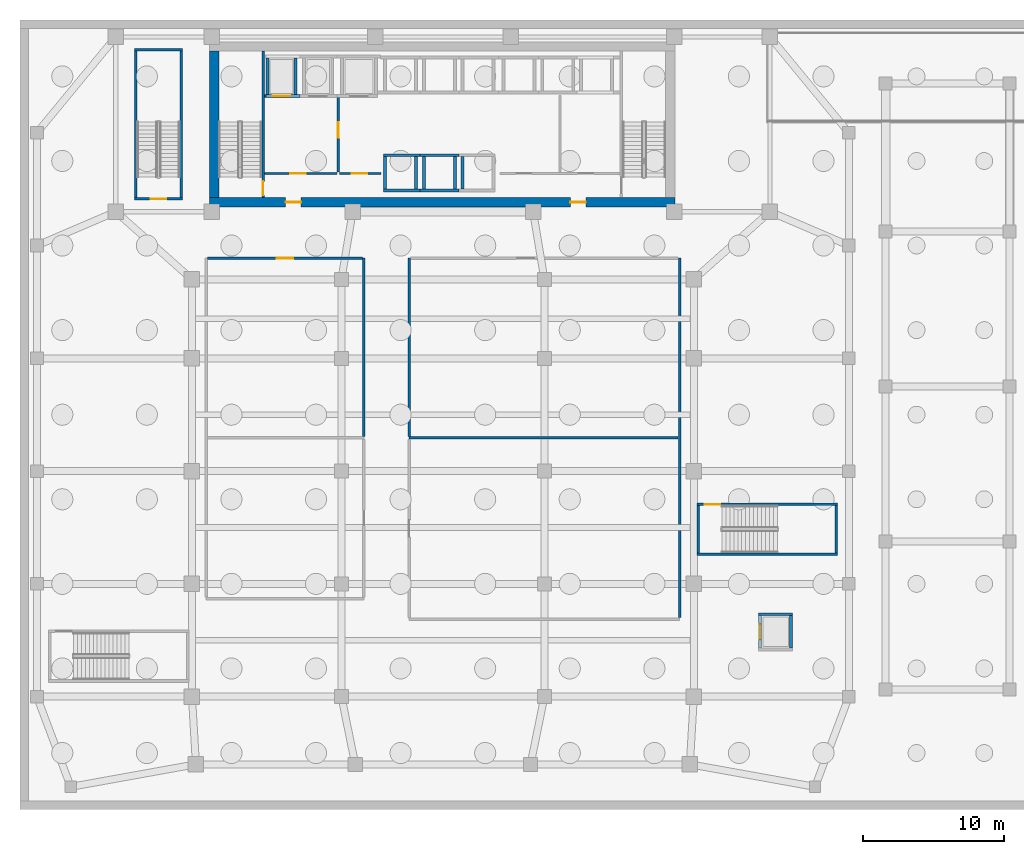
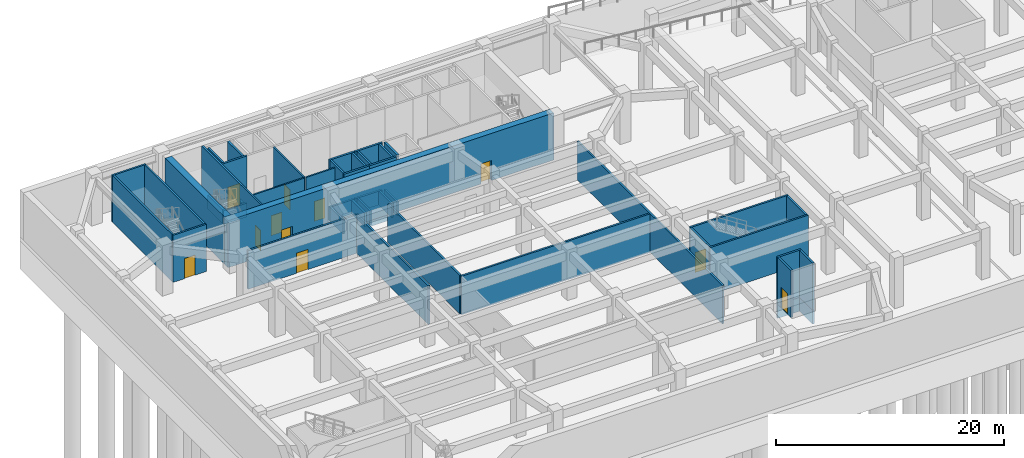
# One storey, part 9 of 18: 48 walls, 11 doors, 11 openings.
"""IFC4 building model written with IfcOpenShell, lengths in metres."""

from ifc_helpers import new_model, si_unit, direction, frame, frame_2d, origin, place, context, subcontext, project, spatial, rectangle, extrude, material, layer, layer_set, type_object, element, fill, save


model = new_model("IFC4")

# Units and contexts
model_context = context("Model", 3, precision=1e-05, world=origin(), true_north=direction((0.0, 1.0)))
body_context = subcontext(model_context, "Body", "Model", "MODEL_VIEW")
ifc_project = project(units=[si_unit("LENGTHUNIT", "METRE"), si_unit("AREAUNIT", "SQUARE_METRE"), si_unit("VOLUMEUNIT", "CUBIC_METRE"), si_unit("PLANEANGLEUNIT", "RADIAN"), si_unit("MASSUNIT", "GRAM", prefix="KILO")], contexts=[model_context])

# Site, building, storey
site_placement = place(None, origin())
site = spatial("IfcSite", under=ifc_project, at=site_placement, CompositionType="ELEMENT")
building_placement = place(site_placement, origin())
building = spatial("IfcBuilding", under=site, at=building_placement, Name="Saevonmaru Cultural Tower", CompositionType="ELEMENT")
storey_placement = place(building_placement, frame((0.0, 0.0, -10.800048828125)))
storey = spatial("IfcBuildingStorey", under=building, at=storey_placement, Name="B2", CompositionType="ELEMENT", Elevation=-10.800048828125)

# Wall, openings, doors
ifc_material_1 = material(Name="Concrete C60/75", Category="concrete")
ifc_layer_1 = layer(ifc_material_1, 0.64990234375, Name="Concrete C60/75")
ifc_layer_set_1 = layer_set([ifc_layer_1], Name="Concrete C60/75")
wall_type_1 = type_object("IfcWallType", Name="WL-CORE-650", PredefinedType="SHEAR", material=ifc_layer_set_1)
wall_1_placement = place(storey_placement, frame((13.449951171875, 43.074951171875, 0.0), z_axis=(0.0, 0.0, 1.0), x_axis=(1.0, 0.0, 0.0)))
wall_1 = element("IfcWall", 1, at=wall_1_placement, inside=storey, type_object=wall_type_1, Name="B2 Tower RC core shear wall S", PredefinedType="SHEAR", context=body_context, shape_type="SweptSolid", body=[
    extrude(rectangle(XDim=33.0, YDim=0.64990234375, at=frame_2d((16.5, 0.0))), origin(), (0.0, 0.0, 1.0), 5.050048828125),
])
opening_1_placement = place(wall_1_placement, frame((5.39990234375, 0.0, 0.0)))
opening_1 = element("IfcOpeningElement", 2, at=opening_1_placement, cuts=wall_1, Name="Opening FD-2", PredefinedType="OPENING", context=body_context, shape_type="SweptSolid", body=[
    extrude(rectangle(XDim=1.10009765625, YDim=2.14990234375, at=frame_2d((0.550048828125, 1.074951171875))), frame((0.0, 0.3349609375, 0.0), z_axis=(0.0, -1.0, 0.0), x_axis=(1.0, 0.0, 0.0)), (0.0, 0.0, 1.0), 0.669921875),
])
opening_2_placement = place(wall_1_placement, frame((25.60009765625, 0.0, 0.0)))
opening_2 = element("IfcOpeningElement", 3, at=opening_2_placement, cuts=wall_1, Name="Opening FD-2", PredefinedType="OPENING", context=body_context, shape_type="SweptSolid", body=[
    extrude(rectangle(XDim=1.10009765625, YDim=2.14990234375, at=frame_2d((0.550048828125, 1.074951171875))), frame((0.0, 0.3349609375, 0.0), z_axis=(0.0, -1.0, 0.0), x_axis=(1.0, 0.0, 0.0)), (0.0, 0.0, 1.0), 0.669921875),
])
ifc_material_2 = material(Name="Satin Bronze Anodised Aluminium", Category="aluminium")
door_type_1 = type_object("IfcDoorType", Name="DR-FD60-1100", OperationType="SINGLE_SWING_LEFT", PredefinedType="DOOR", material=ifc_material_2)
door_1_placement = place(opening_1_placement, origin())
door_1 = element("IfcDoor", 4, at=door_1_placement, inside=storey, type_object=door_type_1, Name="B2 Core West Lobby Fire Door", OperationType="SINGLE_SWING_LEFT", OverallHeight=2.14990234375, OverallWidth=1.10009765625, PredefinedType="DOOR", context=body_context, shape_type="SweptSolid", body=[
    extrude(rectangle(XDim=1.10009765625, YDim=2.14990234375, at=frame_2d((0.550048828125, 1.074951171875))), frame((0.0, 0.02490234375, 0.0), z_axis=(0.0, -1.0, 0.0), x_axis=(1.0, 0.0, 0.0)), (0.0, 0.0, 1.0), 0.050048828125),
])
fill(opening_1, door_1)
door_2_placement = place(opening_2_placement, origin())
door_2 = element("IfcDoor", 5, at=door_2_placement, inside=storey, type_object=door_type_1, Name="B2 Core East Lobby Fire Door", OperationType="SINGLE_SWING_LEFT", OverallHeight=2.14990234375, OverallWidth=1.10009765625, PredefinedType="DOOR", context=body_context, shape_type="SweptSolid", body=[
    extrude(rectangle(XDim=1.10009765625, YDim=2.14990234375, at=frame_2d((0.550048828125, 1.074951171875))), frame((0.0, 0.02490234375, 0.0), z_axis=(0.0, -1.0, 0.0), x_axis=(1.0, 0.0, 0.0)), (0.0, 0.0, 1.0), 0.050048828125),
])
fill(opening_2, door_2)

# Wall
wall_2_placement = place(storey_placement, frame((13.77490234375, 43.39990234375, 0.0), z_axis=(0.0, 0.0, 1.0), x_axis=(0.0, 1.0, 0.0)))
element("IfcWall", 6, at=wall_2_placement, inside=storey, type_object=wall_type_1, Name="B2 Tower RC core shear wall W", PredefinedType="SHEAR", context=body_context, shape_type="SweptSolid", body=[
    extrude(rectangle(XDim=10.400146484375, YDim=0.64990234375, at=frame_2d((5.2001953125, 0.0))), origin(), (0.0, 0.0, 1.0), 5.050048828125),
])

# Wall, opening, door
ifc_material_3 = material(Name="Gypsum Fireboard Partition", Category="gypsum")
ifc_layer_2 = layer(ifc_material_3, 0.14990234375, Name="Gypsum Fireboard Partition")
ifc_layer_set_2 = layer_set([ifc_layer_2], Name="Gypsum Fireboard Partition")
wall_type_2 = type_object("IfcWallType", Name="WL-CORE-PART-150", PredefinedType="PARTITIONING", material=ifc_layer_set_2)
wall_3_placement = place(storey_placement, frame((17.360107421875, 45.1201171875, 0.0), z_axis=(0.0, 0.0, 1.0), x_axis=(1.0, 0.0, 0.0)))
wall_3 = element("IfcWall", 7, at=wall_3_placement, inside=storey, type_object=wall_type_2, Name="B2 Firefighting Lift Lobby South Wall", PredefinedType="PARTITIONING", context=body_context, shape_type="SweptSolid", body=[
    extrude(rectangle(XDim=5.139892578125, YDim=0.14990234375, at=frame_2d((2.56982421875, 0.0))), origin(), (0.0, 0.0, 1.0), 5.050048828125),
])
opening_3_placement = place(wall_3_placement, frame((1.800048828125, 0.0, 0.0)))
opening_3 = element("IfcOpeningElement", 8, at=opening_3_placement, cuts=wall_3, Name="Opening FD-2", PredefinedType="OPENING", context=body_context, shape_type="SweptSolid", body=[
    extrude(rectangle(XDim=1.10009765625, YDim=2.14990234375, at=frame_2d((0.550048828125, 1.074951171875))), frame((0.0, 0.0849609375, 0.0), z_axis=(0.0, -1.0, 0.0), x_axis=(1.0, 0.0, 0.0)), (0.0, 0.0, 1.0), 0.169921875),
])
door_3_placement = place(opening_3_placement, origin())
door_3 = element("IfcDoor", 9, at=door_3_placement, inside=storey, type_object=door_type_1, Name="B2 Firefighting Lift Lobby South Door", OperationType="SINGLE_SWING_LEFT", OverallHeight=2.14990234375, OverallWidth=1.10009765625, PredefinedType="DOOR", context=body_context, shape_type="SweptSolid", body=[
    extrude(rectangle(XDim=1.10009765625, YDim=2.14990234375, at=frame_2d((0.550048828125, 1.074951171875))), frame((0.0, 0.02490234375, 0.0), z_axis=(0.0, -1.0, 0.0), x_axis=(1.0, 0.0, 0.0)), (0.0, 0.0, 1.0), 0.050048828125),
])
fill(opening_3, door_3)

wall_4_placement = place(storey_placement, frame((22.580078125, 50.550048828125, 0.0), z_axis=(0.0, 0.0, 1.0), x_axis=(0.0, -1.0, 0.0)))
wall_4 = element("IfcWall", 10, at=wall_4_placement, inside=storey, type_object=wall_type_2, Name="B2 Firefighting Lift Lobby East Wall", PredefinedType="PARTITIONING", context=body_context, shape_type="SweptSolid", body=[
    extrude(rectangle(XDim=5.330078125, YDim=0.14990234375, at=frame_2d((2.6650390625, 0.0))), origin(), (0.0, 0.0, 1.0), 5.050048828125),
])
opening_4_placement = place(wall_4_placement, frame((1.800048828125, 0.0, 0.0)))
opening_4 = element("IfcOpeningElement", 11, at=opening_4_placement, cuts=wall_4, Name="Opening FD-2", PredefinedType="OPENING", context=body_context, shape_type="SweptSolid", body=[
    extrude(rectangle(XDim=1.10009765625, YDim=2.14990234375, at=frame_2d((0.550048828125, 1.074951171875))), frame((0.0, 0.0849609375, 0.0), z_axis=(0.0, -1.0, 0.0), x_axis=(1.0, 0.0, 0.0)), (0.0, 0.0, 1.0), 0.169921875),
])
door_4_placement = place(opening_4_placement, origin())
door_4 = element("IfcDoor", 12, at=door_4_placement, inside=storey, type_object=door_type_1, Name="B2 Firefighting Lift Lobby East Door", OperationType="SINGLE_SWING_LEFT", OverallHeight=2.14990234375, OverallWidth=1.10009765625, PredefinedType="DOOR", context=body_context, shape_type="SweptSolid", body=[
    extrude(rectangle(XDim=1.10009765625, YDim=2.14990234375, at=frame_2d((0.550048828125, 1.074951171875))), frame((0.0, 0.02490234375, 0.0), z_axis=(0.0, -1.0, 0.0), x_axis=(1.0, 0.0, 0.0)), (0.0, 0.0, 1.0), 0.050048828125),
])
fill(opening_4, door_4)

wall_5_placement = place(storey_placement, frame((22.679931640625, 45.1201171875, 0.0), z_axis=(0.0, 0.0, 1.0), x_axis=(1.0, 0.0, 0.0)))
wall_5 = element("IfcWall", 13, at=wall_5_placement, inside=storey, type_object=wall_type_2, Name="B2 Service Lift Vestibule Wall", PredefinedType="PARTITIONING", context=body_context, shape_type="SweptSolid", body=[
    extrude(rectangle(XDim=2.920166015625, YDim=0.14990234375, at=frame_2d((1.4599609375, 0.0))), origin(), (0.0, 0.0, 1.0), 5.050048828125),
])
opening_5_placement = place(wall_5_placement, frame((0.85009765625, 0.0, 0.0)))
opening_5 = element("IfcOpeningElement", 14, at=opening_5_placement, cuts=wall_5, Name="Opening FD-2", PredefinedType="OPENING", context=body_context, shape_type="SweptSolid", body=[
    extrude(rectangle(XDim=1.10009765625, YDim=2.14990234375, at=frame_2d((0.550048828125, 1.074951171875))), frame((0.0, 0.0849609375, 0.0), z_axis=(0.0, -1.0, 0.0), x_axis=(1.0, 0.0, 0.0)), (0.0, 0.0, 1.0), 0.169921875),
])
door_5_placement = place(opening_5_placement, origin())
door_5 = element("IfcDoor", 15, at=door_5_placement, inside=storey, type_object=door_type_1, Name="B2 Service Lift Vestibule Door", OperationType="SINGLE_SWING_LEFT", OverallHeight=2.14990234375, OverallWidth=1.10009765625, PredefinedType="DOOR", context=body_context, shape_type="SweptSolid", body=[
    extrude(rectangle(XDim=1.10009765625, YDim=2.14990234375, at=frame_2d((0.550048828125, 1.074951171875))), frame((0.0, 0.02490234375, 0.0), z_axis=(0.0, -1.0, 0.0), x_axis=(1.0, 0.0, 0.0)), (0.0, 0.0, 1.0), 0.050048828125),
])
fill(opening_5, door_5)

# Wall
ifc_layer_3 = layer(ifc_material_3, 0.179931640625, Name="Gypsum Fireboard Partition")
ifc_layer_set_3 = layer_set([ifc_layer_3], Name="Gypsum Fireboard Partition")
wall_type_3 = type_object("IfcWallType", Name="WL-PART-PLANT-180", PredefinedType="PARTITIONING", material=ifc_layer_set_3)
wall_6_placement = place(storey_placement, frame((24.39990234375, 26.4599609375, 0.0), z_axis=(0.0, 0.0, 1.0), x_axis=(0.0, 1.0, 0.0)))
element("IfcWall", 16, at=wall_6_placement, inside=storey, type_object=wall_type_3, Name="B2 Chiller East Wall", PredefinedType="PARTITIONING", context=body_context, shape_type="SweptSolid", body=[
    extrude(rectangle(XDim=12.64013671875, YDim=0.179931640625, at=frame_2d((6.320068359375, 0.0))), origin(), (0.0, 0.0, 1.0), 4.135009765625),
])

# Wall, opening, door
wall_7_placement = place(storey_placement, frame((13.31005859375, 39.10009765625, 0.0), z_axis=(0.0, 0.0, 1.0), x_axis=(1.0, 0.0, 0.0)))
wall_7 = element("IfcWall", 17, at=wall_7_placement, inside=storey, type_object=wall_type_3, Name="B2 Chiller North Wall", PredefinedType="PARTITIONING", context=body_context, shape_type="SweptSolid", body=[
    extrude(rectangle(XDim=10.97998046875, YDim=0.179931640625, at=frame_2d((5.489990234375, 0.0))), origin(), (0.0, 0.0, 1.0), 4.135009765625),
])
opening_6_placement = place(wall_7_placement, frame((4.889892578125, 0.0, 0.0)))
opening_6 = element("IfcOpeningElement", 18, at=opening_6_placement, cuts=wall_7, Name="Opening FD-1", PredefinedType="OPENING", context=body_context, shape_type="SweptSolid", body=[
    extrude(rectangle(XDim=1.199951171875, YDim=2.14990234375, at=frame_2d((0.60009765625, 1.074951171875))), frame((0.0, 0.10009765625, 0.0), z_axis=(0.0, -1.0, 0.0), x_axis=(1.0, 0.0, 0.0)), (0.0, 0.0, 1.0), 0.199951171875),
])
door_type_2 = type_object("IfcDoorType", Name="DR-FD60-1200", OperationType="DOUBLE_DOOR_SINGLE_SWING", PredefinedType="DOOR", material=ifc_material_2)
door_6_placement = place(opening_6_placement, origin())
door_6 = element("IfcDoor", 19, at=door_6_placement, inside=storey, type_object=door_type_2, Name="B2 Central Chiller Plant Door", OperationType="DOUBLE_DOOR_SINGLE_SWING", OverallHeight=2.14990234375, OverallWidth=1.199951171875, PredefinedType="DOOR", context=body_context, shape_type="SweptSolid", body=[
    extrude(rectangle(XDim=1.199951171875, YDim=2.14990234375, at=frame_2d((0.60009765625, 1.074951171875))), frame((0.0, 0.02490234375, 0.0), z_axis=(0.0, -1.0, 0.0), x_axis=(1.0, 0.0, 0.0)), (0.0, 0.0, 1.0), 0.050048828125),
])
fill(opening_6, door_6)

# Walls
wall_8_placement = place(storey_placement, frame((46.800048828125, 13.610107421875, 0.0), z_axis=(0.0, 0.0, 1.0), x_axis=(0.0, 1.0, 0.0)))
element("IfcWall", 20, at=wall_8_placement, inside=storey, type_object=wall_type_3, Name="B2 Plant East Wall", PredefinedType="PARTITIONING", context=body_context, shape_type="SweptSolid", body=[
    extrude(rectangle(XDim=25.489990234375, YDim=0.179931640625, at=frame_2d((12.7451171875, 0.0))), origin(), (0.0, 0.0, 1.0), 4.135009765625),
])
wall_9_placement = place(storey_placement, frame((27.60009765625, 26.35009765625, 0.0), z_axis=(0.0, 0.0, 1.0), x_axis=(1.0, 0.0, 0.0)))
element("IfcWall", 21, at=wall_9_placement, inside=storey, type_object=wall_type_3, Name="B2 Substation-Generator Split", PredefinedType="PARTITIONING", context=body_context, shape_type="SweptSolid", body=[
    extrude(rectangle(XDim=19.08984375, YDim=0.179931640625, at=frame_2d((9.544921875, 0.0))), origin(), (0.0, 0.0, 1.0), 4.135009765625),
])
wall_10_placement = place(storey_placement, frame((27.60009765625, 26.4599609375, 0.0), z_axis=(0.0, 0.0, 1.0), x_axis=(0.0, 1.0, 0.0)))
element("IfcWall", 22, at=wall_10_placement, inside=storey, type_object=wall_type_3, Name="B2 Substation West Wall", PredefinedType="PARTITIONING", context=body_context, shape_type="SweptSolid", body=[
    extrude(rectangle(XDim=12.64013671875, YDim=0.179931640625, at=frame_2d((6.320068359375, 0.0))), origin(), (0.0, 0.0, 1.0), 4.135009765625),
])
ifc_material_4 = material(Name="Concrete C40/50", Category="concrete")
ifc_layer_4 = layer(ifc_material_4, 0.199951171875, Name="Concrete C40/50")
ifc_layer_set_4 = layer_set([ifc_layer_4], Name="Concrete C40/50")
wall_type_4 = type_object("IfcWallType", Name="WL-SHAFT-200", PredefinedType="SHEAR", material=ifc_layer_set_4)
wall_11_placement = place(storey_placement, frame((17.449951171875, 50.60009765625, -1.47998046875), z_axis=(0.0, 0.0, 1.0), x_axis=(1.0, 0.0, 0.0)))
element("IfcWall", 23, at=wall_11_placement, inside=storey, type_object=wall_type_4, Name="Lift FFL-1 Pit Wall S", PredefinedType="SHEAR", context=body_context, shape_type="SweptSolid", body=[
    extrude(rectangle(XDim=2.400146484375, YDim=0.199951171875, at=frame_2d((1.2001953125, 0.0))), origin(), (0.0, 0.0, 1.0), 1.47998046875),
])
for number, where, z_axis, x_axis, name in (
    (24, (17.550048828125, 50.699951171875, -1.47998046875), (0.0, 0.0, 1.0), (0.0, 1.0, 0.0), "Lift FFL-1 Pit Wall W"),
    (25, (19.550048828125, 50.699951171875, -1.47998046875), (0.0, 0.0, 1.0), (0.0, 1.0, 0.0), "Lift FFL-1 Pit Wall E"),
):
    element("IfcWall", number, at=place(storey_placement, frame(where, z_axis=z_axis, x_axis=x_axis)), inside=storey, type_object=wall_type_4, Name=name, PredefinedType="SHEAR", context=body_context, shape_type="SweptSolid", body=[
        extrude(rectangle(XDim=2.60009765625, YDim=0.199951171875, at=frame_2d((1.300048828125, 0.0))), origin(), (0.0, 0.0, 1.0), 1.47998046875),
    ])

# Wall, opening, door
wall_12_placement = place(storey_placement, frame((17.330078125, 50.60009765625, 0.0), z_axis=(0.0, 0.0, 1.0), x_axis=(1.0, 0.0, 0.0)))
wall_12 = element("IfcWall", 26, at=wall_12_placement, inside=storey, type_object=wall_type_4, Name="B2 Lift FFL-1 Hoistway Wall S", PredefinedType="SHEAR", context=body_context, shape_type="SweptSolid", body=[
    extrude(rectangle(XDim=2.52001953125, YDim=0.199951171875, at=frame_2d((1.260009765625, 0.0))), origin(), (0.0, 0.0, 1.0), 5.050048828125),
])
opening_7_placement = place(wall_12_placement, frame((0.594970703125, 0.0, 0.0)))
opening_7 = element("IfcOpeningElement", 27, at=opening_7_placement, cuts=wall_12, Name="Opening LD-2", PredefinedType="OPENING", context=body_context, shape_type="SweptSolid", body=[
    extrude(rectangle(XDim=1.25, YDim=2.300048828125, at=frame_2d((0.625, 1.14990234375))), frame((0.0, 0.10986328125, 0.0), z_axis=(0.0, -1.0, 0.0), x_axis=(1.0, 0.0, 0.0)), (0.0, 0.0, 1.0), 0.219970703125),
])
ifc_material_5 = material(Name="Stainless Steel 316", Category="steel")
door_type_3 = type_object("IfcDoorType", Name="DR-LIFT-1250", OperationType="SLIDING_TO_LEFT", PredefinedType="DOOR", material=ifc_material_5)
door_7_placement = place(opening_7_placement, origin())
door_7 = element("IfcDoor", 28, at=door_7_placement, inside=storey, type_object=door_type_3, Name="B2 Lift FFL-1 Sliding Landing Door", OperationType="SLIDING_TO_LEFT", OverallHeight=2.300048828125, OverallWidth=1.25, PredefinedType="DOOR", context=body_context, shape_type="SweptSolid", body=[
    extrude(rectangle(XDim=1.25, YDim=2.300048828125, at=frame_2d((0.625, 1.14990234375))), frame((0.0, 0.02490234375, 0.0), z_axis=(0.0, -1.0, 0.0), x_axis=(1.0, 0.0, 0.0)), (0.0, 0.0, 1.0), 0.050048828125),
])
fill(opening_7, door_7)

# Walls
for number, where, z_axis, x_axis, name in (
    (29, (17.550048828125, 50.699951171875, 0.0), (0.0, 0.0, 1.0), (0.0, 1.0, 0.0), "B2 Lift FFL-1 Hoistway Wall W"),
    (30, (19.550048828125, 50.699951171875, 0.0), (0.0, 0.0, 1.0), (0.0, 1.0, 0.0), "B2 Lift FFL-1 Hoistway Wall E"),
):
    element("IfcWall", number, at=place(storey_placement, frame(where, z_axis=z_axis, x_axis=x_axis)), inside=storey, type_object=wall_type_4, Name=name, PredefinedType="SHEAR", context=body_context, shape_type="SweptSolid", body=[
        extrude(rectangle(XDim=2.60009765625, YDim=0.199951171875, at=frame_2d((1.300048828125, 0.0))), origin(), (0.0, 0.0, 1.0), 5.050048828125),
    ])
for number, where, z_axis, x_axis, name in (
    (31, (25.800048828125, 43.89990234375, -1.47998046875), (0.0, 0.0, 1.0), (1.0, 0.0, 0.0), "Lift PL-M1 Pit Wall S"),
    (32, (25.800048828125, 46.39990234375, -1.47998046875), (0.0, 0.0, 1.0), (1.0, 0.0, 0.0), "Lift PL-M1 Pit Wall N"),
):
    element("IfcWall", number, at=place(storey_placement, frame(where, z_axis=z_axis, x_axis=x_axis)), inside=storey, type_object=wall_type_4, Name=name, PredefinedType="SHEAR", context=body_context, shape_type="SweptSolid", body=[
        extrude(rectangle(XDim=2.574951171875, YDim=0.199951171875, at=frame_2d((1.28759765625, 0.0))), origin(), (0.0, 0.0, 1.0), 1.47998046875),
    ])
for number, where, z_axis, x_axis, name in (
    (33, (25.89990234375, 44.0, -1.47998046875), (0.0, 0.0, 1.0), (0.0, 1.0, 0.0), "Lift PL-M1 Pit Wall W"),
    (34, (28.10009765625, 44.0, -1.47998046875), (0.0, 0.0, 1.0), (0.0, 1.0, 0.0), "Lift PL-M1 Pit Wall E"),
):
    element("IfcWall", number, at=place(storey_placement, frame(where, z_axis=z_axis, x_axis=x_axis)), inside=storey, type_object=wall_type_4, Name=name, PredefinedType="SHEAR", context=body_context, shape_type="SweptSolid", body=[
        extrude(rectangle(XDim=2.300048828125, YDim=0.199951171875, at=frame_2d((1.14990234375, 0.0))), origin(), (0.0, 0.0, 1.0), 1.47998046875),
    ])
for number, where, z_axis, x_axis, name in (
    (35, (25.800048828125, 43.89990234375, 0.0), (0.0, 0.0, 1.0), (1.0, 0.0, 0.0), "B2 Lift PL-M1 Hoistway Wall S"),
    (36, (25.800048828125, 46.39990234375, 0.0), (0.0, 0.0, 1.0), (1.0, 0.0, 0.0), "B2 Lift PL-M1 Hoistway Wall N"),
):
    element("IfcWall", number, at=place(storey_placement, frame(where, z_axis=z_axis, x_axis=x_axis)), inside=storey, type_object=wall_type_4, Name=name, PredefinedType="SHEAR", context=body_context, shape_type="SweptSolid", body=[
        extrude(rectangle(XDim=2.574951171875, YDim=0.199951171875, at=frame_2d((1.28759765625, 0.0))), origin(), (0.0, 0.0, 1.0), 5.050048828125),
    ])
for number, where, z_axis, x_axis, name in (
    (37, (25.89990234375, 44.0, 0.0), (0.0, 0.0, 1.0), (0.0, 1.0, 0.0), "B2 Lift PL-M1 Hoistway Wall W"),
    (38, (28.10009765625, 44.0, 0.0), (0.0, 0.0, 1.0), (0.0, 1.0, 0.0), "B2 Lift PL-M1 Hoistway Wall E"),
):
    element("IfcWall", number, at=place(storey_placement, frame(where, z_axis=z_axis, x_axis=x_axis)), inside=storey, type_object=wall_type_4, Name=name, PredefinedType="SHEAR", context=body_context, shape_type="SweptSolid", body=[
        extrude(rectangle(XDim=2.300048828125, YDim=0.199951171875, at=frame_2d((1.14990234375, 0.0))), origin(), (0.0, 0.0, 1.0), 5.050048828125),
    ])
for number, where, z_axis, x_axis, name in (
    (39, (28.375, 43.89990234375, -1.47998046875), (0.0, 0.0, 1.0), (1.0, 0.0, 0.0), "Lift PL-M2 Pit Wall S"),
    (40, (28.375, 46.39990234375, -1.47998046875), (0.0, 0.0, 1.0), (1.0, 0.0, 0.0), "Lift PL-M2 Pit Wall N"),
):
    element("IfcWall", number, at=place(storey_placement, frame(where, z_axis=z_axis, x_axis=x_axis)), inside=storey, type_object=wall_type_4, Name=name, PredefinedType="SHEAR", context=body_context, shape_type="SweptSolid", body=[
        extrude(rectangle(XDim=2.75, YDim=0.199951171875, at=frame_2d((1.375, 0.0))), origin(), (0.0, 0.0, 1.0), 1.47998046875),
    ])
for number, where, z_axis, x_axis, name in (
    (41, (28.64990234375, 44.0, -1.47998046875), (0.0, 0.0, 1.0), (0.0, 1.0, 0.0), "Lift PL-M2 Pit Wall W"),
    (42, (30.85009765625, 44.0, -1.47998046875), (0.0, 0.0, 1.0), (0.0, 1.0, 0.0), "Lift PL-M2 Pit Wall E"),
):
    element("IfcWall", number, at=place(storey_placement, frame(where, z_axis=z_axis, x_axis=x_axis)), inside=storey, type_object=wall_type_4, Name=name, PredefinedType="SHEAR", context=body_context, shape_type="SweptSolid", body=[
        extrude(rectangle(XDim=2.300048828125, YDim=0.199951171875, at=frame_2d((1.14990234375, 0.0))), origin(), (0.0, 0.0, 1.0), 1.47998046875),
    ])
for number, where, z_axis, x_axis, name in (
    (43, (28.375, 43.89990234375, 0.0), (0.0, 0.0, 1.0), (1.0, 0.0, 0.0), "B2 Lift PL-M2 Hoistway Wall S"),
    (44, (28.375, 46.39990234375, 0.0), (0.0, 0.0, 1.0), (1.0, 0.0, 0.0), "B2 Lift PL-M2 Hoistway Wall N"),
):
    element("IfcWall", number, at=place(storey_placement, frame(where, z_axis=z_axis, x_axis=x_axis)), inside=storey, type_object=wall_type_4, Name=name, PredefinedType="SHEAR", context=body_context, shape_type="SweptSolid", body=[
        extrude(rectangle(XDim=2.75, YDim=0.199951171875, at=frame_2d((1.375, 0.0))), origin(), (0.0, 0.0, 1.0), 5.050048828125),
    ])
for number, where, z_axis, x_axis, name in (
    (45, (28.64990234375, 44.0, 0.0), (0.0, 0.0, 1.0), (0.0, 1.0, 0.0), "B2 Lift PL-M2 Hoistway Wall W"),
    (46, (30.85009765625, 44.0, 0.0), (0.0, 0.0, 1.0), (0.0, 1.0, 0.0), "B2 Lift PL-M2 Hoistway Wall E"),
):
    element("IfcWall", number, at=place(storey_placement, frame(where, z_axis=z_axis, x_axis=x_axis)), inside=storey, type_object=wall_type_4, Name=name, PredefinedType="SHEAR", context=body_context, shape_type="SweptSolid", body=[
        extrude(rectangle(XDim=2.300048828125, YDim=0.199951171875, at=frame_2d((1.14990234375, 0.0))), origin(), (0.0, 0.0, 1.0), 5.050048828125),
    ])
wall_13_placement = place(storey_placement, frame((31.39990234375, 44.0, -1.47998046875), z_axis=(0.0, 0.0, 1.0), x_axis=(0.0, 1.0, 0.0)))
element("IfcWall", 47, at=wall_13_placement, inside=storey, type_object=wall_type_4, Name="Lift PL-M3 Pit Wall W", PredefinedType="SHEAR", context=body_context, shape_type="SweptSolid", body=[
    extrude(rectangle(XDim=2.300048828125, YDim=0.199951171875, at=frame_2d((1.14990234375, 0.0))), origin(), (0.0, 0.0, 1.0), 1.47998046875),
])
wall_14_placement = place(storey_placement, frame((31.39990234375, 44.0, 0.0), z_axis=(0.0, 0.0, 1.0), x_axis=(0.0, 1.0, 0.0)))
element("IfcWall", 48, at=wall_14_placement, inside=storey, type_object=wall_type_4, Name="B2 Lift PL-M3 Hoistway Wall W", PredefinedType="SHEAR", context=body_context, shape_type="SweptSolid", body=[
    extrude(rectangle(XDim=2.300048828125, YDim=0.199951171875, at=frame_2d((1.14990234375, 0.0))), origin(), (0.0, 0.0, 1.0), 5.050048828125),
])
wall_15_placement = place(storey_placement, frame((52.39990234375, 13.85009765625, -1.47998046875), z_axis=(0.0, 0.0, 1.0), x_axis=(1.0, 0.0, 0.0)))
element("IfcWall", 49, at=wall_15_placement, inside=storey, type_object=wall_type_4, Name="Lift SLF-1 Pit Wall N", PredefinedType="SHEAR", context=body_context, shape_type="SweptSolid", body=[
    extrude(rectangle(XDim=2.400146484375, YDim=0.199951171875, at=frame_2d((1.2001953125, 0.0))), origin(), (0.0, 0.0, 1.0), 1.47998046875),
])
wall_16_placement = place(storey_placement, frame((54.699951171875, 11.449951171875, -1.47998046875), z_axis=(0.0, 0.0, 1.0), x_axis=(0.0, 1.0, 0.0)))
element("IfcWall", 50, at=wall_16_placement, inside=storey, type_object=wall_type_4, Name="Lift SLF-1 Pit Wall E", PredefinedType="SHEAR", context=body_context, shape_type="SweptSolid", body=[
    extrude(rectangle(XDim=2.300048828125, YDim=0.199951171875, at=frame_2d((1.14990234375, 0.0))), origin(), (0.0, 0.0, 1.0), 1.47998046875),
])
wall_17_placement = place(storey_placement, frame((52.39990234375, 13.85009765625, 0.0), z_axis=(0.0, 0.0, 1.0), x_axis=(1.0, 0.0, 0.0)))
element("IfcWall", 51, at=wall_17_placement, inside=storey, type_object=wall_type_4, Name="B2 Lift SLF-1 Hoistway Wall N", PredefinedType="SHEAR", context=body_context, shape_type="SweptSolid", body=[
    extrude(rectangle(XDim=2.400146484375, YDim=0.199951171875, at=frame_2d((1.2001953125, 0.0))), origin(), (0.0, 0.0, 1.0), 5.050048828125),
])

# Wall, opening, door
wall_18_placement = place(storey_placement, frame((52.5, 11.449951171875, 0.0), z_axis=(0.0, 0.0, 1.0), x_axis=(0.0, 1.0, 0.0)))
wall_18 = element("IfcWall", 52, at=wall_18_placement, inside=storey, type_object=wall_type_4, Name="B2 Lift SLF-1 Hoistway Wall W", PredefinedType="SHEAR", context=body_context, shape_type="SweptSolid", body=[
    extrude(rectangle(XDim=2.300048828125, YDim=0.199951171875, at=frame_2d((1.14990234375, 0.0))), origin(), (0.0, 0.0, 1.0), 5.050048828125),
])
opening_8_placement = place(wall_18_placement, frame((0.60009765625, 0.0, 0.0)))
opening_8 = element("IfcOpeningElement", 53, at=opening_8_placement, cuts=wall_18, Name="Opening LD-1", PredefinedType="OPENING", context=body_context, shape_type="SweptSolid", body=[
    extrude(rectangle(XDim=1.10009765625, YDim=2.199951171875, at=frame_2d((0.550048828125, 1.10009765625))), frame((0.0, 0.10986328125, 0.0), z_axis=(0.0, -1.0, 0.0), x_axis=(1.0, 0.0, 0.0)), (0.0, 0.0, 1.0), 0.219970703125),
])
ifc_material_6 = material(Name="Satin Bronze Stainless Steel", Category="steel")
door_type_4 = type_object("IfcDoorType", Name="DR-LIFT-1100", OperationType="SLIDING_TO_LEFT", PredefinedType="DOOR", material=ifc_material_6)
door_8_placement = place(opening_8_placement, origin())
door_8 = element("IfcDoor", 54, at=door_8_placement, inside=storey, type_object=door_type_4, Name="B2 Lift SLF-1 Sliding Landing Door", OperationType="SLIDING_TO_LEFT", OverallHeight=2.199951171875, OverallWidth=1.10009765625, PredefinedType="DOOR", context=body_context, shape_type="SweptSolid", body=[
    extrude(rectangle(XDim=1.10009765625, YDim=2.199951171875, at=frame_2d((0.550048828125, 1.10009765625))), frame((0.0, 0.02490234375, 0.0), z_axis=(0.0, -1.0, 0.0), x_axis=(1.0, 0.0, 0.0)), (0.0, 0.0, 1.0), 0.050048828125),
])
fill(opening_8, door_8)

# Wall
wall_19_placement = place(storey_placement, frame((54.699951171875, 11.449951171875, 0.0), z_axis=(0.0, 0.0, 1.0), x_axis=(0.0, 1.0, 0.0)))
element("IfcWall", 55, at=wall_19_placement, inside=storey, type_object=wall_type_4, Name="B2 Lift SLF-1 Hoistway Wall E", PredefinedType="SHEAR", context=body_context, shape_type="SweptSolid", body=[
    extrude(rectangle(XDim=2.300048828125, YDim=0.199951171875, at=frame_2d((1.14990234375, 0.0))), origin(), (0.0, 0.0, 1.0), 5.050048828125),
])

# Wall, opening, door
ifc_layer_5 = layer(ifc_material_4, 0.179931640625, Name="Concrete C40/50")
ifc_layer_set_5 = layer_set([ifc_layer_5], Name="Concrete C40/50")
wall_type_5 = type_object("IfcWallType", Name="WL-STSHAFT-180", PredefinedType="SHEAR", material=ifc_layer_set_5)
wall_20_placement = place(storey_placement, frame((17.239990234375, 43.39990234375, 0.0), z_axis=(0.0, 0.0, 1.0), x_axis=(0.0, 1.0, 0.0)))
wall_20 = element("IfcWall", 56, at=wall_20_placement, inside=storey, type_object=wall_type_5, Name="B2 Stair ST-1 Structural Shaft Wall 1", PredefinedType="SHEAR", context=body_context, shape_type="SweptSolid", body=[
    extrude(rectangle(XDim=10.400146484375, YDim=0.179931640625, at=frame_2d((5.2001953125, 0.0))), origin(), (0.0, 0.0, 1.0), 5.050048828125),
])
opening_9_placement = place(wall_20_placement, frame((0.159912109375, 0.0, 0.0)))
opening_9 = element("IfcOpeningElement", 57, at=opening_9_placement, cuts=wall_20, Name="Opening FD-3", PredefinedType="OPENING", context=body_context, shape_type="SweptSolid", body=[
    extrude(rectangle(XDim=1.0, YDim=2.14990234375, at=frame_2d((0.5, 1.074951171875))), frame((0.0, 0.10009765625, 0.0), z_axis=(0.0, -1.0, 0.0), x_axis=(1.0, 0.0, 0.0)), (0.0, 0.0, 1.0), 0.199951171875),
])
door_type_5 = type_object("IfcDoorType", Name="DR-FD60-1000", OperationType="SINGLE_SWING_RIGHT", PredefinedType="DOOR", material=ifc_material_2)
door_9_placement = place(opening_9_placement, origin())
door_9 = element("IfcDoor", 58, at=door_9_placement, inside=storey, type_object=door_type_5, Name="B2 Protected Stair ST-1 Fire Door", OperationType="SINGLE_SWING_RIGHT", OverallHeight=2.14990234375, OverallWidth=1.0, PredefinedType="DOOR", context=body_context, shape_type="SweptSolid", body=[
    extrude(rectangle(XDim=1.0, YDim=2.14990234375, at=frame_2d((0.5, 1.074951171875))), frame((0.0, 0.02490234375, 0.0), z_axis=(0.0, -1.0, 0.0), x_axis=(1.0, 0.0, 0.0)), (0.0, 0.0, 1.0), 0.050048828125),
])
fill(opening_9, door_9)

wall_21_placement = place(storey_placement, frame((8.1201171875, 43.31005859375, 0.0), z_axis=(0.0, 0.0, 1.0), x_axis=(1.0, 0.0, 0.0)))
wall_21 = element("IfcWall", 59, at=wall_21_placement, inside=storey, type_object=wall_type_5, Name="B2 Stair ST-3 Structural Shaft Wall 1", PredefinedType="SHEAR", context=body_context, shape_type="SweptSolid", body=[
    extrude(rectangle(XDim=3.409912109375, YDim=0.179931640625, at=frame_2d((1.705078125, 0.0))), origin(), (0.0, 0.0, 1.0), 5.050048828125),
])
opening_10_placement = place(wall_21_placement, frame((1.14990234375, 0.0, 0.0)))
opening_10 = element("IfcOpeningElement", 60, at=opening_10_placement, cuts=wall_21, Name="Opening FD-2", PredefinedType="OPENING", context=body_context, shape_type="SweptSolid", body=[
    extrude(rectangle(XDim=1.10009765625, YDim=2.14990234375, at=frame_2d((0.550048828125, 1.074951171875))), frame((0.0, 0.10009765625, 0.0), z_axis=(0.0, -1.0, 0.0), x_axis=(1.0, 0.0, 0.0)), (0.0, 0.0, 1.0), 0.199951171875),
])
door_10_placement = place(opening_10_placement, origin())
door_10 = element("IfcDoor", 61, at=door_10_placement, inside=storey, type_object=door_type_1, Name="B2 Protected Stair ST-3 Fire Door", OperationType="SINGLE_SWING_LEFT", OverallHeight=2.14990234375, OverallWidth=1.10009765625, PredefinedType="DOOR", context=body_context, shape_type="SweptSolid", body=[
    extrude(rectangle(XDim=1.10009765625, YDim=2.14990234375, at=frame_2d((0.550048828125, 1.074951171875))), frame((0.0, 0.02490234375, 0.0), z_axis=(0.0, -1.0, 0.0), x_axis=(1.0, 0.0, 0.0)), (0.0, 0.0, 1.0), 0.050048828125),
])
fill(opening_10, door_10)

# Walls
wall_22_placement = place(storey_placement, frame((11.43994140625, 43.39990234375, 0.0), z_axis=(0.0, 0.0, 1.0), x_axis=(0.0, 1.0, 0.0)))
element("IfcWall", 62, at=wall_22_placement, inside=storey, type_object=wall_type_5, Name="B2 Stair ST-3 Structural Shaft Wall 2", PredefinedType="SHEAR", context=body_context, shape_type="SweptSolid", body=[
    extrude(rectangle(XDim=10.400146484375, YDim=0.179931640625, at=frame_2d((5.2001953125, 0.0))), origin(), (0.0, 0.0, 1.0), 5.050048828125),
])
wall_23_placement = place(storey_placement, frame((11.530029296875, 53.889892578125, 0.0), z_axis=(0.0, 0.0, 1.0), x_axis=(-1.0, 0.0, 0.0)))
element("IfcWall", 63, at=wall_23_placement, inside=storey, type_object=wall_type_5, Name="B2 Stair ST-3 Structural Shaft Wall 3", PredefinedType="SHEAR", context=body_context, shape_type="SweptSolid", body=[
    extrude(rectangle(XDim=3.409912109375, YDim=0.179931640625, at=frame_2d((1.705078125, 0.0))), origin(), (0.0, 0.0, 1.0), 5.050048828125),
])
wall_24_placement = place(storey_placement, frame((8.2099609375, 53.800048828125, 0.0), z_axis=(0.0, 0.0, 1.0), x_axis=(0.0, -1.0, 0.0)))
element("IfcWall", 64, at=wall_24_placement, inside=storey, type_object=wall_type_5, Name="B2 Stair ST-3 Structural Shaft Wall 4", PredefinedType="SHEAR", context=body_context, shape_type="SweptSolid", body=[
    extrude(rectangle(XDim=10.400146484375, YDim=0.179931640625, at=frame_2d((5.2001953125, 0.0))), origin(), (0.0, 0.0, 1.0), 5.050048828125),
])

# Wall, opening, door
wall_25_placement = place(storey_placement, frame((48.02001953125, 21.639892578125, 0.0), z_axis=(0.0, 0.0, 1.0), x_axis=(1.0, 0.0, 0.0)))
wall_25 = element("IfcWall", 65, at=wall_25_placement, inside=storey, type_object=wall_type_5, Name="B2 Stair SST-2 Structural Shaft Wall 1", PredefinedType="SHEAR", context=body_context, shape_type="SweptSolid", body=[
    extrude(rectangle(XDim=9.9599609375, YDim=0.179931640625, at=frame_2d((4.97998046875, 0.0))), origin(), (0.0, 0.0, 1.0), 5.050048828125),
])
opening_11_placement = place(wall_25_placement, frame((0.550048828125, 0.0, 0.0)))
opening_11 = element("IfcOpeningElement", 66, at=opening_11_placement, cuts=wall_25, Name="Opening FD-2", PredefinedType="OPENING", context=body_context, shape_type="SweptSolid", body=[
    extrude(rectangle(XDim=1.10009765625, YDim=2.14990234375, at=frame_2d((0.550048828125, 1.074951171875))), frame((0.0, 0.10009765625, 0.0), z_axis=(0.0, -1.0, 0.0), x_axis=(1.0, 0.0, 0.0)), (0.0, 0.0, 1.0), 0.199951171875),
])
door_11_placement = place(opening_11_placement, origin())
door_11 = element("IfcDoor", 67, at=door_11_placement, inside=storey, type_object=door_type_1, Name="B2 Protected Stair SST-2 Fire Door", OperationType="SINGLE_SWING_LEFT", OverallHeight=2.14990234375, OverallWidth=1.10009765625, PredefinedType="DOOR", context=body_context, shape_type="SweptSolid", body=[
    extrude(rectangle(XDim=1.10009765625, YDim=2.14990234375, at=frame_2d((0.550048828125, 1.074951171875))), frame((0.0, 0.02490234375, 0.0), z_axis=(0.0, -1.0, 0.0), x_axis=(1.0, 0.0, 0.0)), (0.0, 0.0, 1.0), 0.050048828125),
])
fill(opening_11, door_11)

# Walls
wall_26_placement = place(storey_placement, frame((57.889892578125, 21.550048828125, 0.0), z_axis=(0.0, 0.0, 1.0), x_axis=(0.0, -1.0, 0.0)))
element("IfcWall", 68, at=wall_26_placement, inside=storey, type_object=wall_type_5, Name="B2 Stair SST-2 Structural Shaft Wall 2", PredefinedType="SHEAR", context=body_context, shape_type="SweptSolid", body=[
    extrude(rectangle(XDim=3.35009765625, YDim=0.179931640625, at=frame_2d((1.675048828125, 0.0))), origin(), (0.0, 0.0, 1.0), 5.050048828125),
])
wall_27_placement = place(storey_placement, frame((57.97998046875, 18.110107421875, 0.0), z_axis=(0.0, 0.0, 1.0), x_axis=(-1.0, 0.0, 0.0)))
element("IfcWall", 69, at=wall_27_placement, inside=storey, type_object=wall_type_5, Name="B2 Stair SST-2 Structural Shaft Wall 3", PredefinedType="SHEAR", context=body_context, shape_type="SweptSolid", body=[
    extrude(rectangle(XDim=9.9599609375, YDim=0.179931640625, at=frame_2d((4.97998046875, 0.0))), origin(), (0.0, 0.0, 1.0), 5.050048828125),
])
wall_28_placement = place(storey_placement, frame((48.110107421875, 18.199951171875, 0.0), z_axis=(0.0, 0.0, 1.0), x_axis=(0.0, 1.0, 0.0)))
element("IfcWall", 70, at=wall_28_placement, inside=storey, type_object=wall_type_5, Name="B2 Stair SST-2 Structural Shaft Wall 4", PredefinedType="SHEAR", context=body_context, shape_type="SweptSolid", body=[
    extrude(rectangle(XDim=3.35009765625, YDim=0.179931640625, at=frame_2d((1.675048828125, 0.0))), origin(), (0.0, 0.0, 1.0), 5.050048828125),
])

save(model, "model.ifc")
